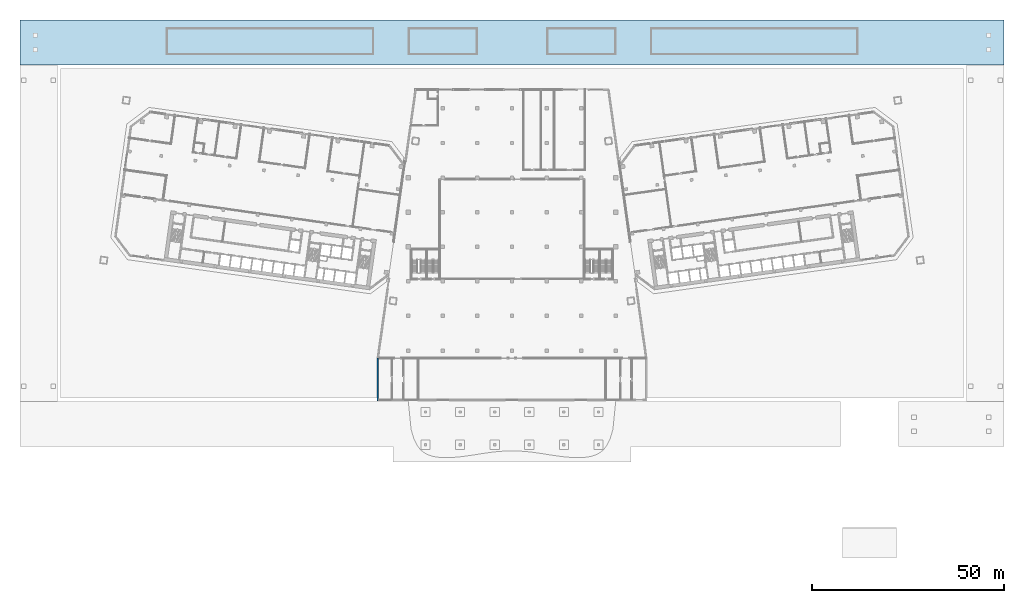
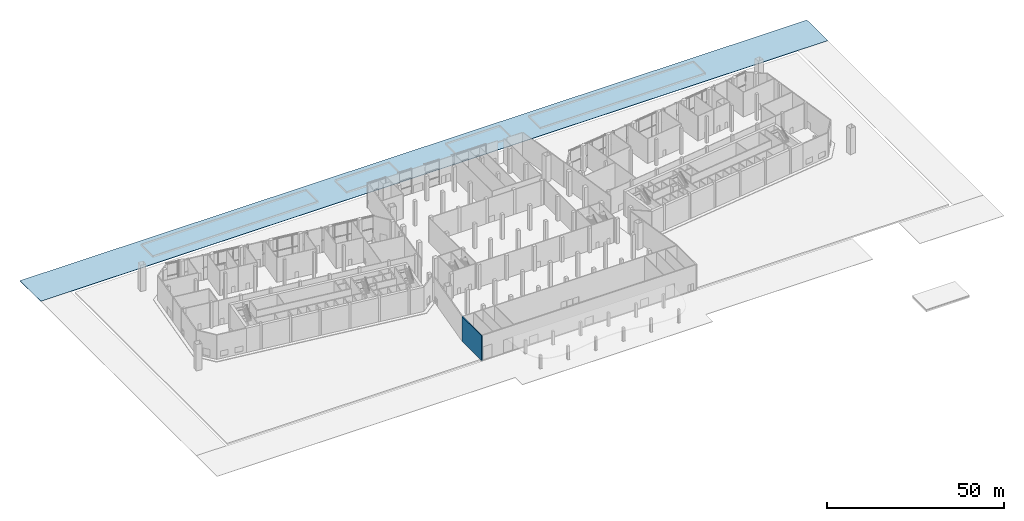
# One storey, part 16 of 34: 1 slab, 1 wall.
"""IFC4 building model written with IfcOpenShell, lengths in metres."""

from ifc_helpers import new_model, si_unit, direction, frame, frame_2d, origin, place, context, subcontext, project, spatial, polyline, rectangle, outline, extrude, material, layer, layer_set, type_object, element, save


model = new_model("IFC4")

# Units and contexts
model_context = context("Model", 3, precision=1e-05, world=origin(), true_north=direction((0.0, 1.0)))
body_context = subcontext(model_context, "Body", "Model", "MODEL_VIEW")
ifc_project = project(units=[si_unit("LENGTHUNIT", "METRE"), si_unit("AREAUNIT", "SQUARE_METRE"), si_unit("VOLUMEUNIT", "CUBIC_METRE"), si_unit("PLANEANGLEUNIT", "RADIAN"), si_unit("MASSUNIT", "GRAM", prefix="KILO")], contexts=[model_context])

# Site, building, storey
site_placement = place(None, origin())
site = spatial("IfcSite", under=ifc_project, at=site_placement, CompositionType="ELEMENT")
building_placement = place(site_placement, origin())
building = spatial("IfcBuilding", under=site, at=building_placement, Name="Mirante Cascada Hotel Towers", CompositionType="ELEMENT")
storey_placement = place(building_placement, origin())
storey = spatial("IfcBuildingStorey", under=building, at=storey_placement, Name="L00", CompositionType="ELEMENT", Elevation=0.0)

# Slab
ifc_material_1 = material(Name="Concrete C25/30", Category="concrete")
ifc_layer_1 = layer(ifc_material_1, 0.15)
ifc_layer_set_1 = layer_set([ifc_layer_1], Name="Paving slab 150 concrete C25/30")
slab_type = type_object("IfcSlabType", Name="Paving slab 150 concrete C25/30", PredefinedType="USERDEFINED", material=ifc_layer_set_1)
slab_placement = place(storey_placement, frame((0.0, 0.0, -0.15)))
element("IfcSlab", 1, at=slab_placement, inside=storey, type_object=slab_type, Name="Paving Garden court", ObjectType="PAVING", PredefinedType="USERDEFINED", context=body_context, shape_type="SweptSolid", body=[
    extrude(outline(polyline([(128.0, 50.0), (-128.0, 50.0), (-128.0, 38.3), (128.0, 38.3), (128.0, 50.0)])), origin(), (0.0, 0.0, 1.0), 0.15),
])

# Wall
ifc_material_2 = material(Name="Precast concrete C40/50", Category="concrete")
ifc_layer_2 = layer(ifc_material_2, 0.3)
ifc_layer_set_2 = layer_set([ifc_layer_2], Name="Precast concrete C40/50 cladding wall 300")
wall_type = type_object("IfcWallType", Name="Precast concrete C40/50 cladding wall 300", PredefinedType="STANDARD", material=ifc_layer_set_2)
wall_placement = place(storey_placement, frame((-34.9095, -38.0, 0.0), z_axis=(0.0, 0.0, 1.0), x_axis=(0.0, -1.0, 0.0)))
element("IfcWall", 2, at=wall_placement, inside=storey, type_object=wall_type, Name="Podium cladding wall L00 P:L00:7", PredefinedType="STANDARD", context=body_context, shape_type="SweptSolid", body=[
    extrude(rectangle(XDim=11.0, YDim=0.3, at=frame_2d((5.5, 0.0))), origin(), (0.0, 0.0, 1.0), 8.5),
])

save(model, "model.ifc")
